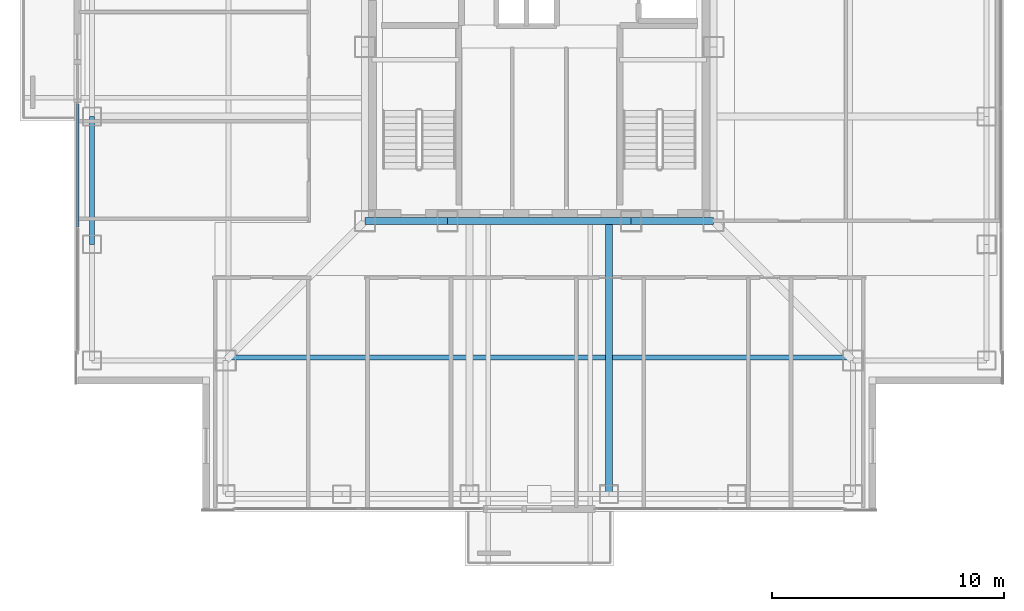
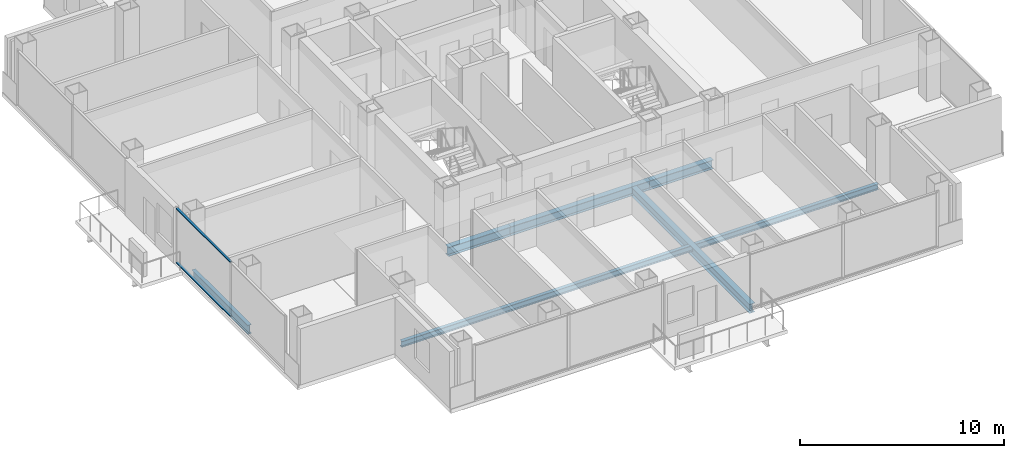
# One storey, part 3 of 16: 6 beams, 2 members, 1 element without a shape of its own.
"""IFC4 building model written with IfcOpenShell, lengths in metres."""

from ifc_helpers import new_model, si_unit, direction, frame, origin, origin_2d, place, context, subcontext, project, spatial, rectangle, i_section, extrude, material, layer, layer_set, material_profile, profile_set, type_object, element, aggregate, save


model = new_model("IFC4")

# Units and contexts
model_context = context("Model", 3, precision=1e-05, world=origin(), true_north=direction((0.0, 1.0)))
body_context = subcontext(model_context, "Body", "Model", "MODEL_VIEW")
ifc_project = project(units=[si_unit("LENGTHUNIT", "METRE"), si_unit("AREAUNIT", "SQUARE_METRE"), si_unit("VOLUMEUNIT", "CUBIC_METRE"), si_unit("PLANEANGLEUNIT", "RADIAN"), si_unit("MASSUNIT", "GRAM", prefix="KILO")], contexts=[model_context])

# Site, building, storey
site_placement = place(None, origin())
site = spatial("IfcSite", under=ifc_project, at=site_placement, CompositionType="ELEMENT")
building_placement = place(site_placement, origin())
building = spatial("IfcBuilding", under=site, at=building_placement, Name="Trevonay Congress Spire", CompositionType="ELEMENT")
storey_placement = place(building_placement, frame((0.0, 0.0, 177.0)))
storey = spatial("IfcBuildingStorey", under=building, at=storey_placement, Name="L45", CompositionType="ELEMENT", Elevation=177.0)

# Beams
ifc_material_1 = material(Name="Steel ASTM A572 Grade 50", Category="steel")
ifc_material_profile_1 = material_profile(ifc_material_1, i_section(OverallWidth=0.31201171875, OverallDepth=0.54296875, WebThickness=0.0126953125, FlangeThickness=0.020263671875, FilletRadius=0.014892578125, at=origin_2d()), Name="W530x150")
ifc_profile_set_1 = profile_set([ifc_material_profile_1], Name="Steel ASTM A572 Grade 50")
beam_type_1 = type_object("IfcBeamType", Name="BM-GIRD-W530X150", PredefinedType="BEAM", material=ifc_profile_set_1)
beam_1_placement = place(storey_placement, frame((-7.5, -7.5, -0.511474609375), z_axis=(1.0, 0.0, 0.0), x_axis=(0.0, 1.0, 0.0)))
element("IfcBeam", 1, at=beam_1_placement, inside=storey, type_object=beam_type_1, Name="L45 structural beam BM-L45-CR-S1", PredefinedType="BEAM", context=body_context, shape_type="SweptSolid", body=[
    extrude(i_section(OverallWidth=0.31201171875, OverallDepth=0.54296875, WebThickness=0.0126953125, FlangeThickness=0.020263671875, FilletRadius=0.014892578125, at=origin_2d()), origin(), (0.0, 0.0, 1.0), 3.550048828125),
])
beam_2_placement = place(storey_placement, frame((-3.949951171875, -7.5, -0.511474609375), z_axis=(1.0, 0.0, 0.0), x_axis=(0.0, 1.0, 0.0)))
element("IfcBeam", 2, at=beam_2_placement, inside=storey, type_object=beam_type_1, Name="L45 structural beam BM-L45-CR-S2", PredefinedType="BEAM", context=body_context, shape_type="SweptSolid", body=[
    extrude(i_section(OverallWidth=0.31201171875, OverallDepth=0.54296875, WebThickness=0.0126953125, FlangeThickness=0.020263671875, FilletRadius=0.014892578125, at=origin_2d()), origin(), (0.0, 0.0, 1.0), 7.89990234375),
])
beam_3_placement = place(storey_placement, frame((3.949951171875, -7.5, -0.511474609375), z_axis=(1.0, 0.0, 0.0), x_axis=(0.0, 1.0, 0.0)))
element("IfcBeam", 3, at=beam_3_placement, inside=storey, type_object=beam_type_1, Name="L45 structural beam BM-L45-CR-S3", PredefinedType="BEAM", context=body_context, shape_type="SweptSolid", body=[
    extrude(i_section(OverallWidth=0.31201171875, OverallDepth=0.54296875, WebThickness=0.0126953125, FlangeThickness=0.020263671875, FilletRadius=0.014892578125, at=origin_2d()), origin(), (0.0, 0.0, 1.0), 3.550048828125),
])
beam_4_placement = place(storey_placement, frame((3.0, -7.5, -0.511474609375), z_axis=(0.0, -1.0, 0.0), x_axis=(1.0, 0.0, 0.0)))
element("IfcBeam", 4, at=beam_4_placement, inside=storey, type_object=beam_type_1, Name="L45 structural beam BM-L45-GS-P", PredefinedType="BEAM", context=body_context, shape_type="SweptSolid", body=[
    extrude(i_section(OverallWidth=0.31201171875, OverallDepth=0.54296875, WebThickness=0.0126953125, FlangeThickness=0.020263671875, FilletRadius=0.014892578125, at=origin_2d()), origin(), (0.0, 0.0, 1.0), 11.75),
])
ifc_material_profile_2 = material_profile(ifc_material_1, i_section(OverallWidth=0.2119140625, OverallDepth=0.5439453125, WebThickness=0.01318359375, FlangeThickness=0.021240234375, FilletRadius=0.014892578125, at=origin_2d()), Name="W530x123")
ifc_profile_set_2 = profile_set([ifc_material_profile_2], Name="Steel ASTM A572 Grade 50")
beam_type_2 = type_object("IfcBeamType", Name="BM-RING-W530X123", PredefinedType="BEAM", material=ifc_profile_set_2)
beam_5_placement = place(storey_placement, frame((-19.25, -8.5, -0.511962890625), z_axis=(0.0, 1.0, 0.0), x_axis=(-1.0, 0.0, 0.0)))
element("IfcBeam", 5, at=beam_5_placement, inside=storey, type_object=beam_type_2, Name="L45 structural beam BM-L45-PW2", PredefinedType="BEAM", context=body_context, shape_type="SweptSolid", body=[
    extrude(i_section(OverallWidth=0.2119140625, OverallDepth=0.5439453125, WebThickness=0.01318359375, FlangeThickness=0.021240234375, FilletRadius=0.014892578125, at=origin_2d()), origin(), (0.0, 0.0, 1.0), 5.5),
])

# Curtain wall, members
ifc_material_2 = material(Name="Pale Anodised Aluminium EN AW-6063-T6", Category="aluminium")
ifc_layer = layer(ifc_material_2, 0.169921875, Name="Pale Anodised Aluminium EN AW-6063-T6")
ifc_layer_set = layer_set([ifc_layer], Name="Pale Anodised Aluminium EN AW-6063-T6")
curtain_wall_type = type_object("IfcCurtainWallType", Name="CW-SYS04-CORP-PALE-METAL", PredefinedType="NOTDEFINED", material=ifc_layer_set)
curtain_wall_placement = place(storey_placement, origin())
curtain_wall = element("IfcCurtainWall", 6, at=curtain_wall_placement, inside=storey, type_object=curtain_wall_type, Name="L45 WA unitised curtain wall", PredefinedType="NOTDEFINED")
ifc_material_profile_3 = material_profile(ifc_material_2, rectangle(XDim=0.1201171875, YDim=0.06005859375, at=origin_2d()), Name="CW-TRANSOM-120-ALUMINIUM")
ifc_profile_set_3 = profile_set([ifc_material_profile_3], Name="Pale Anodised Aluminium EN AW-6063-T6")
member_type = type_object("IfcMemberType", Name="CW-TRANSOM-120-ALUMINIUM", PredefinedType="USERDEFINED", material=ifc_profile_set_3)
member_1_placement = place(storey_placement, frame((-19.8798828125, -7.7451171875, 0.06005859375), z_axis=(0.0, 1.0, 0.0), x_axis=(-1.0, 0.0, 0.0)))
member_1 = element("IfcMember", 7, at=member_1_placement, type_object=member_type, Name="CW04 transom 2.1", ObjectType="TRANSOM", PredefinedType="USERDEFINED", context=body_context, shape_type="SweptSolid", body=[
    extrude(rectangle(XDim=0.1201171875, YDim=0.06005859375, at=origin_2d()), origin(), (0.0, 0.0, 1.0), 5.28515625),
])
member_2_placement = place(storey_placement, frame((-19.8798828125, -7.7451171875, 3.300048828125), z_axis=(0.0, 1.0, 0.0), x_axis=(-1.0, 0.0, 0.0)))
member_2 = element("IfcMember", 8, at=member_2_placement, type_object=member_type, Name="CW04 transom 2.2", ObjectType="TRANSOM", PredefinedType="USERDEFINED", context=body_context, shape_type="SweptSolid", body=[
    extrude(rectangle(XDim=0.1201171875, YDim=0.06005859375, at=origin_2d()), origin(), (0.0, 0.0, 1.0), 5.28515625),
])
aggregate(curtain_wall, [member_1, member_2])

# Beam
ifc_material_profile_4 = material_profile(ifc_material_1, i_section(OverallWidth=0.205078125, OverallDepth=0.35400390625, WebThickness=0.009521484375, FlangeThickness=0.016845703125, FilletRadius=0.011962890625, at=origin_2d()), Name="W360x79")
ifc_profile_set_4 = profile_set([ifc_material_profile_4], Name="Steel ASTM A572 Grade 50")
beam_type_3 = type_object("IfcBeamType", Name="JS-COMP-W360X79", PredefinedType="JOIST", material=ifc_profile_set_4)
beam_6_placement = place(storey_placement, frame((-13.5, -13.375, -0.4169921875), z_axis=(1.0, 0.0, 0.0), x_axis=(0.0, 1.0, 0.0)))
element("IfcBeam", 9, at=beam_6_placement, inside=storey, type_object=beam_type_3, Name="L45 structural beam JS-L45-RING-S", PredefinedType="JOIST", context=body_context, shape_type="SweptSolid", body=[
    extrude(i_section(OverallWidth=0.205078125, OverallDepth=0.35400390625, WebThickness=0.009521484375, FlangeThickness=0.016845703125, FilletRadius=0.011962890625, at=origin_2d()), origin(), (0.0, 0.0, 1.0), 27.0),
])

save(model, "model.ifc")
